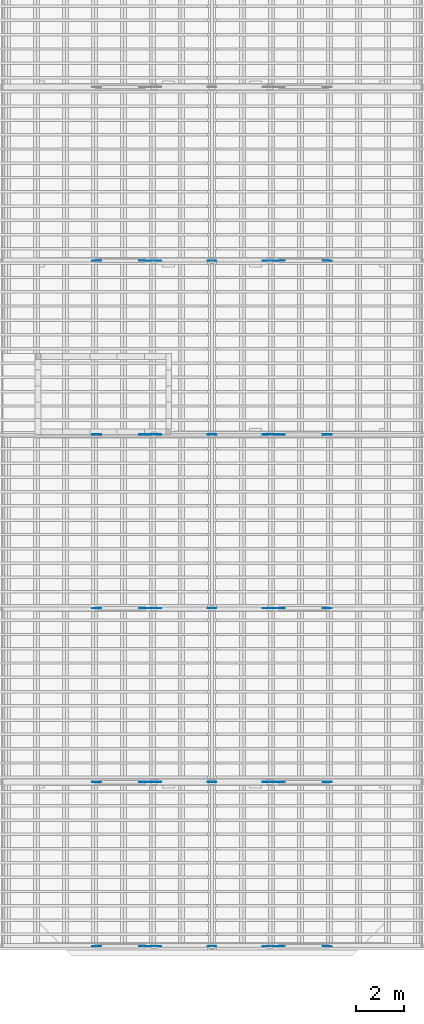
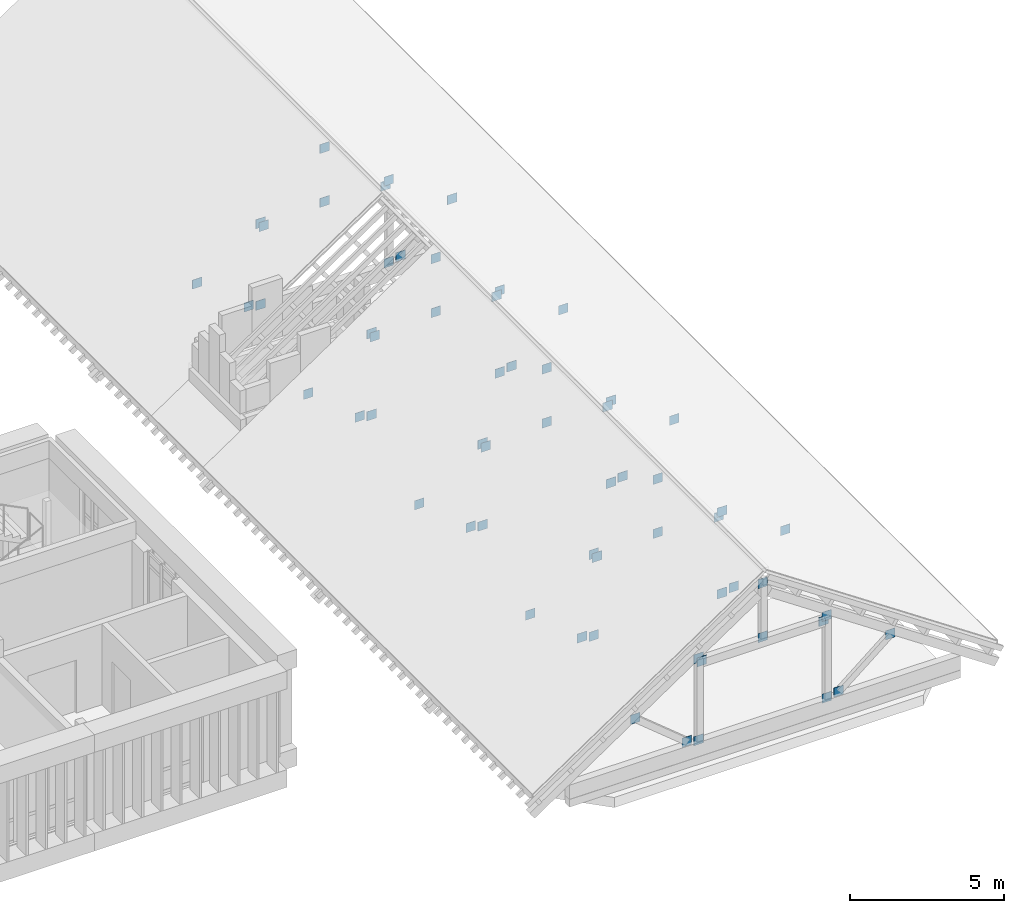
# One storey, part 39 of 51: 60 discrete accessories.
"""IFC4 building model written with IfcOpenShell, lengths in metres."""

from ifc_helpers import new_model, si_unit, direction, frame, origin, origin_2d, place, context, subcontext, project, spatial, rectangle, extrude, material, type_object, element, save


model = new_model("IFC4")

# Units and contexts
model_context = context("Model", 3, precision=1e-05, world=origin(), true_north=direction((0.0, 1.0)))
body_context = subcontext(model_context, "Body", "Model", "MODEL_VIEW")
ifc_project = project(units=[si_unit("LENGTHUNIT", "METRE"), si_unit("AREAUNIT", "SQUARE_METRE"), si_unit("VOLUMEUNIT", "CUBIC_METRE"), si_unit("PLANEANGLEUNIT", "RADIAN"), si_unit("MASSUNIT", "GRAM", prefix="KILO")], contexts=[model_context])

# Site, building, storey
site_placement = place(None, origin())
site = spatial("IfcSite", under=ifc_project, at=site_placement, CompositionType="ELEMENT")
building_placement = place(site_placement, origin())
building = spatial("IfcBuilding", under=site, at=building_placement, Name="Mazhai Court Health Centre", CompositionType="ELEMENT")
storey_placement = place(building_placement, frame((0.0, 0.0, 14.10009765625)))
storey = spatial("IfcBuildingStorey", under=building, at=storey_placement, Name="L03", CompositionType="ELEMENT", Elevation=14.10009765625)

# Discrete accessories
ifc_material = material(Name="Steel IS 2062 E250", Category="steel")
discrete_accessory_type = type_object("IfcDiscreteAccessoryType", Name="TRUSS NODE PLATE 12", PredefinedType="BRACKET", material=ifc_material)
for number, where, z_axis, x_axis, name in (
    (1, (145.39990234375, 6.60009765625, 0.3798828125), (0.0, 0.0, 1.0), (1.0, 0.0, 0.0), "Node plate Post TV6-1-P1 end a"),
    (2, (145.39990234375, 6.60009765625, 3.61767578125), (0.0, 0.0, 1.0), (1.0, 0.0, 0.0), "Node plate Post TV6-1-P1 end b"),
    (3, (140.60009765625, 6.60009765625, 0.3798828125), (0.0, 0.0, 1.0), (1.0, 0.0, 0.0), "Node plate Post TV6-1-P2 end a"),
    (4, (140.60009765625, 6.60009765625, 3.61767578125), (0.0, 0.0, 1.0), (1.0, 0.0, 0.0), "Node plate Post TV6-1-P2 end b"),
    (5, (145.280029296875, 6.60009765625, 3.45751953125), (0.0, 0.0, 1.0), (1.0, 0.0, 0.0), "Node plate Collar TV6-1-SB1 end a"),
    (6, (140.719970703125, 6.60009765625, 3.45751953125), (0.0, 0.0, 1.0), (1.0, 0.0, 0.0), "Node plate Collar TV6-1-SB1 end b"),
    (7, (143.0, 6.60009765625, 3.61767578125), (0.0, 0.0, 1.0), (1.0, 0.0, 0.0), "Node plate Post TV6-1-P3 end a"),
    (8, (143.0, 6.60009765625, 5.7529296875), (0.0, 0.0, 1.0), (1.0, 0.0, 0.0), "Node plate Post TV6-1-P3 end b"),
    (9, (145.8408203125, 6.60009765625, 0.47265625), (0.0, 0.0, 1.0), (1.0, 0.0, 0.0), "Node plate Strut TV6-1-S1 end a"),
    (10, (147.772216796875, 6.60009765625, 2.056640625), (0.0, 0.0, 1.0), (1.0, 0.0, 0.0), "Node plate Strut TV6-1-S1 end b"),
    (11, (140.1591796875, 6.60009765625, 0.47265625), (0.0, 0.0, 1.0), (1.0, 0.0, 0.0), "Node plate Strut TV6-1-S2 end a"),
    (12, (138.227783203125, 6.60009765625, 2.056640625), (0.0, 0.0, 1.0), (1.0, 0.0, 0.0), "Node plate Strut TV6-1-S2 end b"),
    (13, (145.39990234375, 13.39990234375, 0.3798828125), (0.0, 0.0, 1.0), (1.0, 0.0, 0.0), "Node plate Post TV6-2-P1 end a"),
    (14, (145.39990234375, 13.39990234375, 3.61767578125), (0.0, 0.0, 1.0), (1.0, 0.0, 0.0), "Node plate Post TV6-2-P1 end b"),
    (15, (140.60009765625, 13.39990234375, 0.3798828125), (0.0, 0.0, 1.0), (1.0, 0.0, 0.0), "Node plate Post TV6-2-P2 end a"),
    (16, (140.60009765625, 13.39990234375, 3.61767578125), (0.0, 0.0, 1.0), (1.0, 0.0, 0.0), "Node plate Post TV6-2-P2 end b"),
    (17, (145.280029296875, 13.39990234375, 3.45751953125), (0.0, 0.0, 1.0), (1.0, 0.0, 0.0), "Node plate Collar TV6-2-SB1 end a"),
    (18, (140.719970703125, 13.39990234375, 3.45751953125), (0.0, 0.0, 1.0), (1.0, 0.0, 0.0), "Node plate Collar TV6-2-SB1 end b"),
    (19, (143.0, 13.39990234375, 3.61767578125), (0.0, 0.0, 1.0), (1.0, 0.0, 0.0), "Node plate Post TV6-2-P3 end a"),
    (20, (143.0, 13.39990234375, 5.7529296875), (0.0, 0.0, 1.0), (1.0, 0.0, 0.0), "Node plate Post TV6-2-P3 end b"),
    (21, (145.8408203125, 13.39990234375, 0.47265625), (0.0, 0.0, 1.0), (1.0, 0.0, 0.0), "Node plate Strut TV6-2-S1 end a"),
    (22, (147.772216796875, 13.39990234375, 2.056640625), (0.0, 0.0, 1.0), (1.0, 0.0, 0.0), "Node plate Strut TV6-2-S1 end b"),
    (23, (140.1591796875, 13.39990234375, 0.47265625), (0.0, 0.0, 1.0), (1.0, 0.0, 0.0), "Node plate Strut TV6-2-S2 end a"),
    (24, (138.227783203125, 13.39990234375, 2.056640625), (0.0, 0.0, 1.0), (1.0, 0.0, 0.0), "Node plate Strut TV6-2-S2 end b"),
    (25, (145.39990234375, 20.60009765625, 0.3798828125), (0.0, 0.0, 1.0), (1.0, 0.0, 0.0), "Node plate Post TV6-3-P1 end a"),
    (26, (145.39990234375, 20.60009765625, 3.61767578125), (0.0, 0.0, 1.0), (1.0, 0.0, 0.0), "Node plate Post TV6-3-P1 end b"),
    (27, (140.60009765625, 20.60009765625, 0.3798828125), (0.0, 0.0, 1.0), (1.0, 0.0, 0.0), "Node plate Post TV6-3-P2 end a"),
    (28, (140.60009765625, 20.60009765625, 3.61767578125), (0.0, 0.0, 1.0), (1.0, 0.0, 0.0), "Node plate Post TV6-3-P2 end b"),
    (29, (145.280029296875, 20.60009765625, 3.45751953125), (0.0, 0.0, 1.0), (1.0, 0.0, 0.0), "Node plate Collar TV6-3-SB1 end a"),
    (30, (140.719970703125, 20.60009765625, 3.45751953125), (0.0, 0.0, 1.0), (1.0, 0.0, 0.0), "Node plate Collar TV6-3-SB1 end b"),
    (31, (143.0, 20.60009765625, 3.61767578125), (0.0, 0.0, 1.0), (1.0, 0.0, 0.0), "Node plate Post TV6-3-P3 end a"),
    (32, (143.0, 20.60009765625, 5.7529296875), (0.0, 0.0, 1.0), (1.0, 0.0, 0.0), "Node plate Post TV6-3-P3 end b"),
    (33, (145.8408203125, 20.60009765625, 0.47265625), (0.0, 0.0, 1.0), (1.0, 0.0, 0.0), "Node plate Strut TV6-3-S1 end a"),
    (34, (147.772216796875, 20.60009765625, 2.056640625), (0.0, 0.0, 1.0), (1.0, 0.0, 0.0), "Node plate Strut TV6-3-S1 end b"),
    (35, (140.1591796875, 20.60009765625, 0.47265625), (0.0, 0.0, 1.0), (1.0, 0.0, 0.0), "Node plate Strut TV6-3-S2 end a"),
    (36, (138.227783203125, 20.60009765625, 2.056640625), (0.0, 0.0, 1.0), (1.0, 0.0, 0.0), "Node plate Strut TV6-3-S2 end b"),
    (37, (145.39990234375, 27.800048828125, 0.3798828125), (0.0, 0.0, 1.0), (1.0, 0.0, 0.0), "Node plate Post TV6-4-P1 end a"),
    (38, (145.39990234375, 27.800048828125, 3.61767578125), (0.0, 0.0, 1.0), (1.0, 0.0, 0.0), "Node plate Post TV6-4-P1 end b"),
    (39, (140.60009765625, 27.800048828125, 0.3798828125), (0.0, 0.0, 1.0), (1.0, 0.0, 0.0), "Node plate Post TV6-4-P2 end a"),
    (40, (140.60009765625, 27.800048828125, 3.61767578125), (0.0, 0.0, 1.0), (1.0, 0.0, 0.0), "Node plate Post TV6-4-P2 end b"),
    (41, (145.280029296875, 27.800048828125, 3.45751953125), (0.0, 0.0, 1.0), (1.0, 0.0, 0.0), "Node plate Collar TV6-4-SB1 end a"),
    (42, (140.719970703125, 27.800048828125, 3.45751953125), (0.0, 0.0, 1.0), (1.0, 0.0, 0.0), "Node plate Collar TV6-4-SB1 end b"),
    (43, (143.0, 27.800048828125, 3.61767578125), (0.0, 0.0, 1.0), (1.0, 0.0, 0.0), "Node plate Post TV6-4-P3 end a"),
    (44, (143.0, 27.800048828125, 5.7529296875), (0.0, 0.0, 1.0), (1.0, 0.0, 0.0), "Node plate Post TV6-4-P3 end b"),
    (45, (145.8408203125, 27.800048828125, 0.47265625), (0.0, 0.0, 1.0), (1.0, 0.0, 0.0), "Node plate Strut TV6-4-S1 end a"),
    (46, (147.772216796875, 27.800048828125, 2.056640625), (0.0, 0.0, 1.0), (1.0, 0.0, 0.0), "Node plate Strut TV6-4-S1 end b"),
    (47, (140.1591796875, 27.800048828125, 0.47265625), (0.0, 0.0, 1.0), (1.0, 0.0, 0.0), "Node plate Strut TV6-4-S2 end a"),
    (48, (138.227783203125, 27.800048828125, 2.056640625), (0.0, 0.0, 1.0), (1.0, 0.0, 0.0), "Node plate Strut TV6-4-S2 end b"),
    (49, (145.39990234375, 35.0, 0.3798828125), (0.0, 0.0, 1.0), (1.0, 0.0, 0.0), "Node plate Post TV6-5-P1 end a"),
    (50, (145.39990234375, 35.0, 3.61767578125), (0.0, 0.0, 1.0), (1.0, 0.0, 0.0), "Node plate Post TV6-5-P1 end b"),
    (51, (140.60009765625, 35.0, 0.3798828125), (0.0, 0.0, 1.0), (1.0, 0.0, 0.0), "Node plate Post TV6-5-P2 end a"),
    (52, (140.60009765625, 35.0, 3.61767578125), (0.0, 0.0, 1.0), (1.0, 0.0, 0.0), "Node plate Post TV6-5-P2 end b"),
    (53, (145.280029296875, 35.0, 3.45751953125), (0.0, 0.0, 1.0), (1.0, 0.0, 0.0), "Node plate Collar TV6-5-SB1 end a"),
    (54, (140.719970703125, 35.0, 3.45751953125), (0.0, 0.0, 1.0), (1.0, 0.0, 0.0), "Node plate Collar TV6-5-SB1 end b"),
    (55, (143.0, 35.0, 3.61767578125), (0.0, 0.0, 1.0), (1.0, 0.0, 0.0), "Node plate Post TV6-5-P3 end a"),
    (56, (143.0, 35.0, 5.7529296875), (0.0, 0.0, 1.0), (1.0, 0.0, 0.0), "Node plate Post TV6-5-P3 end b"),
    (57, (145.8408203125, 35.0, 0.47265625), (0.0, 0.0, 1.0), (1.0, 0.0, 0.0), "Node plate Strut TV6-5-S1 end a"),
    (58, (147.772216796875, 35.0, 2.056640625), (0.0, 0.0, 1.0), (1.0, 0.0, 0.0), "Node plate Strut TV6-5-S1 end b"),
    (59, (140.1591796875, 35.0, 0.47265625), (0.0, 0.0, 1.0), (1.0, 0.0, 0.0), "Node plate Strut TV6-5-S2 end a"),
    (60, (138.227783203125, 35.0, 2.056640625), (0.0, 0.0, 1.0), (1.0, 0.0, 0.0), "Node plate Strut TV6-5-S2 end b"),
):
    element("IfcDiscreteAccessory", number, at=place(storey_placement, frame(where, z_axis=z_axis, x_axis=x_axis)), inside=storey, type_object=discrete_accessory_type, Name=name, PredefinedType="BRACKET", context=body_context, shape_type="SweptSolid", body=[
        extrude(rectangle(XDim=0.360107421875, YDim=0.011962890625, at=origin_2d()), origin(), (0.0, 0.0, 1.0), 0.360107421875),
    ])

save(model, "model.ifc")
